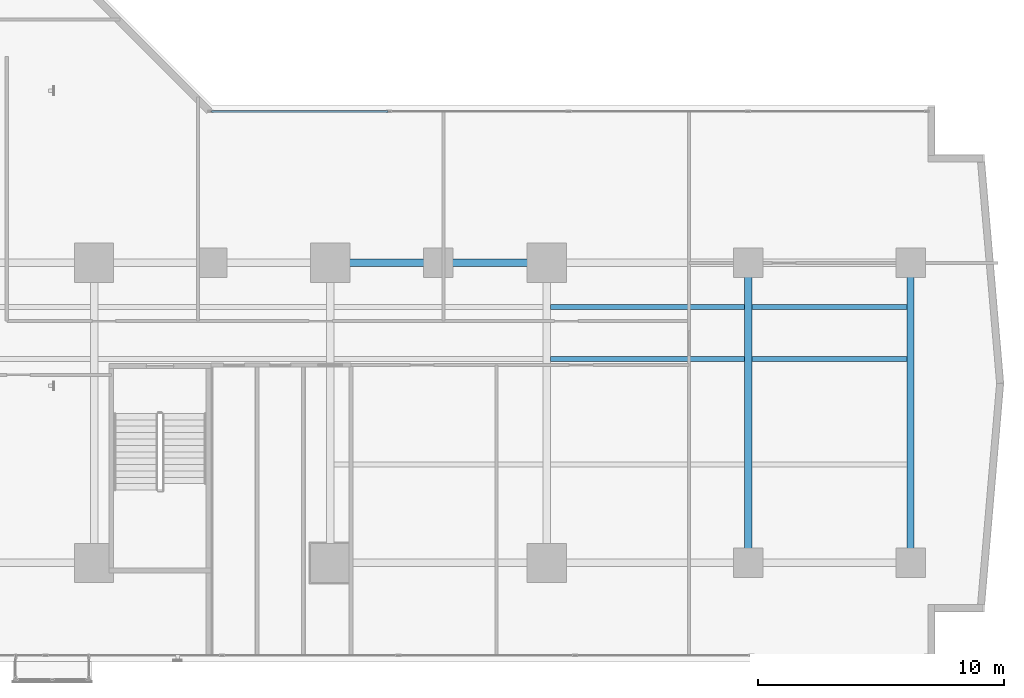
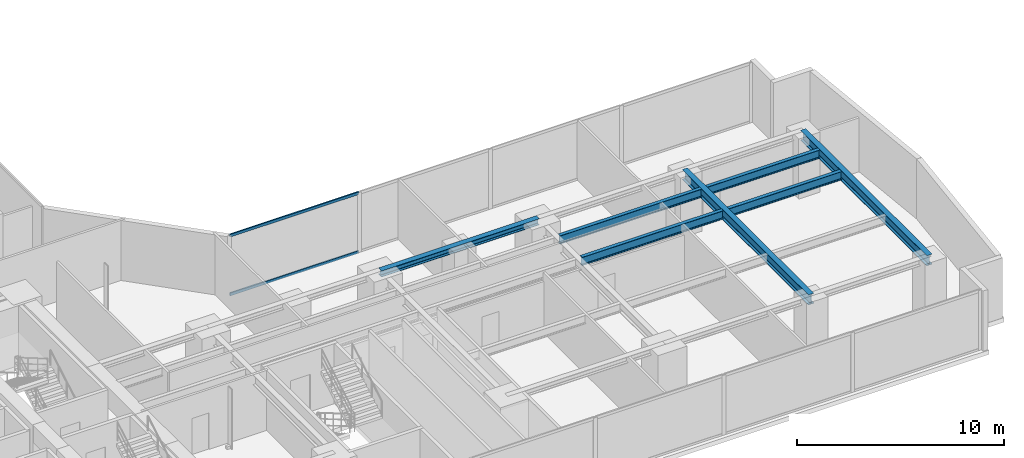
# One storey, part 12 of 28: 7 beams, 2 members, 1 element without a shape of its own.
"""IFC4 building model written with IfcOpenShell, lengths in metres."""

import ifcopenshell
import ifcopenshell.guid

model = None  # the IFC model being written
_history = None  # IfcOwnerHistory: only IFC2X3 demands one
_inside = {}  # id of a spatial element -> (the spatial element, [elements in it])
_under = {}  # id of a project, library or spatial element -> (it, [spatial elements below it])
_declared = {}  # id of a project -> (the project, [libraries it declares])
_typed = {}  # id of a type object -> (the type object, [elements of that type])
_made_of = {}  # id of a material, layer set ... -> (it, [elements and type objects made of it])


def new_model(schema):
    """Start an empty IFC model of exactly this schema.

    Asked for "IFC4X3", IfcOpenShell would pick the latest addendum, in which some entities
    have other attributes; the version numbers below select the first issue.
    IFC2X3 requires an IfcOwnerHistory on every rooted entity: one is made here for all.
    """
    global model, _history
    if schema == "IFC4X3":
        model = ifcopenshell.file(schema_version=(4, 3, 0, 0))
    else:
        model = ifcopenshell.file(schema=schema)
    _inside.clear()
    _under.clear()
    _declared.clear()
    _typed.clear()
    _made_of.clear()
    _history = None
    if model.schema == "IFC2X3":
        org = make("IfcOrganization", Name="unknown")
        user = make(
            "IfcPersonAndOrganization",
            ThePerson=make("IfcPerson", FamilyName="unknown"),
            TheOrganization=org,
        )
        app = make(
            "IfcApplication",
            ApplicationDeveloper=org,
            Version="unknown",
            ApplicationFullName="unknown",
            ApplicationIdentifier="unknown",
        )
        _history = make(
            "IfcOwnerHistory",
            OwningUser=user,
            OwningApplication=app,
            ChangeAction="ADDED",
            CreationDate=0,
        )
    return model


def make(cls, **values):
    """One entity of the class cls with the attributes given. An attribute that is None is left unset."""
    return model.create_entity(
        cls, **{name: value for name, value in values.items() if value is not None}
    )


def rooted(cls, **values):
    """An entity with a GlobalId (a new one), such as an element, a storey or a relation."""
    return make(cls, GlobalId=ifcopenshell.guid.new(), OwnerHistory=_history, **values)


def si_unit(unit_type, name, prefix=None):
    """IfcSIUnit, for example si_unit("LENGTHUNIT", "METRE", prefix="MILLI")."""
    return make("IfcSIUnit", UnitType=unit_type, Prefix=prefix, Name=name)


def assignment(units):
    """IfcUnitAssignment: the units of a project."""
    return None if units is None else make("IfcUnitAssignment", Units=units)


def point(xyz):
    """IfcCartesianPoint."""
    return None if xyz is None else make("IfcCartesianPoint", Coordinates=xyz)


def direction(xyz):
    """IfcDirection."""
    return None if xyz is None else make("IfcDirection", DirectionRatios=xyz)


def frame(location, z_axis=None, x_axis=None):
    """IfcAxis2Placement3D, a coordinate frame: its origin and axes. An axis left out is left unset."""
    return make(
        "IfcAxis2Placement3D",
        Location=point(location),
        Axis=direction(z_axis),
        RefDirection=direction(x_axis),
    )


def frame_2d(location, x_axis=None):
    """IfcAxis2Placement2D, a coordinate frame in the plane: its origin and x axis."""
    return make(
        "IfcAxis2Placement2D", Location=point(location), RefDirection=direction(x_axis)
    )


def origin():
    """The frame at (0, 0, 0) with its axes left unset."""
    return frame((0.0, 0.0, 0.0))


def origin_with_axes():
    """The frame at (0, 0, 0) with the z axis (0, 0, 1) and the x axis (1, 0, 0) written out."""
    return frame((0.0, 0.0, 0.0), z_axis=(0.0, 0.0, 1.0), x_axis=(1.0, 0.0, 0.0))


def origin_2d():
    """The frame at (0, 0) in the plane with its x axis left unset."""
    return frame_2d((0.0, 0.0))


def place(relative_to, where):
    """IfcLocalPlacement: puts the frame where relative to a parent placement (None: the world)."""
    return make(
        "IfcLocalPlacement", PlacementRelTo=relative_to, RelativePlacement=where
    )


def context(
    kind, dimensions, precision=None, world=None, true_north=None, identifier=None
):
    """IfcGeometricRepresentationContext, for example the 3D "Model" context."""
    return make(
        "IfcGeometricRepresentationContext",
        ContextIdentifier=identifier,
        ContextType=kind,
        CoordinateSpaceDimension=dimensions,
        Precision=precision,
        WorldCoordinateSystem=world,
        TrueNorth=true_north,
    )


def subcontext(parent, identifier, kind, view, scale=None):
    """IfcGeometricRepresentationSubContext, for example "Body" below "Model"."""
    return make(
        "IfcGeometricRepresentationSubContext",
        ContextIdentifier=identifier,
        ContextType=kind,
        ParentContext=parent,
        TargetScale=scale,
        TargetView=view,
    )


def project(units=None, contexts=None):
    """IfcProject with its units and contexts."""
    return rooted(
        "IfcProject",
        Name="project",
        RepresentationContexts=contexts,
        UnitsInContext=assignment(units),
    )


def spatial(cls, under=None, at=None, **own):
    """A site, building, storey or space (cls), placed at a placement, below another one or the project."""
    s = rooted(cls, ObjectPlacement=at, **own)
    if under is not None:
        _under.setdefault(under.id(), (under, []))[1].append(s)
    return s


def profile(cls, at=None, kind="AREA", **sizes):
    """A parametric profile (cls). Its sizes go by their IFC names, for example OverallWidth=200.0."""
    return make(cls, ProfileType=kind, Position=at, **sizes)


def hollow_rectangle(**sizes):
    """IfcRectangleHollowProfileDef."""
    return profile("IfcRectangleHollowProfileDef", **sizes)


def i_section(**sizes):
    """IfcIShapeProfileDef."""
    return profile("IfcIShapeProfileDef", **sizes)


def extrude(swept, where, along, depth):
    """IfcExtrudedAreaSolid: the profile swept, set in the frame where, extruded along a direction by depth."""
    return make(
        "IfcExtrudedAreaSolid",
        SweptArea=swept,
        Position=where,
        ExtrudedDirection=direction(along),
        Depth=depth,
    )


def shape(context_of_items, identifier, shape_type, items):
    """IfcShapeRepresentation: the items that make up one representation, for example the "Body"."""
    return make(
        "IfcShapeRepresentation",
        ContextOfItems=context_of_items,
        RepresentationIdentifier=identifier,
        RepresentationType=shape_type,
        Items=items,
    )


def source(mapping_origin, context_of_items, identifier, shape_type, items):
    """IfcRepresentationMap: a shape defined once, which mapped items show again and again."""
    return make(
        "IfcRepresentationMap",
        MappingOrigin=mapping_origin,
        MappedRepresentation=shape(context_of_items, identifier, shape_type, items),
    )


def transform(
    local_origin,
    x_axis=None,
    y_axis=None,
    z_axis=None,
    scale=None,
    scale2=None,
    scale3=None,
    uniform=True,
):
    """IfcCartesianTransformationOperator3D, or its non-uniform kind. x_axis, y_axis, z_axis: its Axis1, 2, 3."""
    if uniform:
        return make(
            "IfcCartesianTransformationOperator3D",
            Axis1=direction(x_axis),
            Axis2=direction(y_axis),
            LocalOrigin=point(local_origin),
            Scale=scale,
            Axis3=direction(z_axis),
        )
    return make(
        "IfcCartesianTransformationOperator3DnonUniform",
        Axis1=direction(x_axis),
        Axis2=direction(y_axis),
        LocalOrigin=point(local_origin),
        Scale=scale,
        Axis3=direction(z_axis),
        Scale2=scale2,
        Scale3=scale3,
    )


def mapped(mapping_source, mapping_target):
    """IfcMappedItem: shows the shape of a source again, moved by a transform."""
    return make(
        "IfcMappedItem", MappingSource=mapping_source, MappingTarget=mapping_target
    )


def material(Name=None, Category=None):
    """IfcMaterial."""
    return make("IfcMaterial", Name=Name, Category=Category)


def layer(
    of_material, thickness, ventilated=None, Name=None, Category=None, Priority=None
):
    """IfcMaterialLayer: one layer of a wall or slab, of a material (None: an air gap)."""
    return make(
        "IfcMaterialLayer",
        Material=of_material,
        LayerThickness=thickness,
        IsVentilated=ventilated,
        Name=Name,
        Category=Category,
        Priority=Priority,
    )


def layer_set(layers, Name=None):
    """IfcMaterialLayerSet."""
    return make("IfcMaterialLayerSet", MaterialLayers=layers, LayerSetName=Name)


def material_profile(
    of_material, cross_section, Name=None, Category=None, Priority=None
):
    """IfcMaterialProfile: a cross section and its material."""
    return make(
        "IfcMaterialProfile",
        Name=Name,
        Material=of_material,
        Profile=cross_section,
        Priority=Priority,
        Category=Category,
    )


def profile_set(profiles, Name=None, composite=None):
    """IfcMaterialProfileSet."""
    return make(
        "IfcMaterialProfileSet",
        Name=Name,
        MaterialProfiles=profiles,
        CompositeProfile=composite,
    )


def made_of(thing, what):
    """Note that an element or type object is made of a material, layer set ...; save() writes the relation."""
    if what is not None:
        _made_of.setdefault(what.id(), (what, []))[1].append(thing)
    return thing


def type_object(cls, material=None, **own):
    """A type object (cls), such as IfcWallType, which elements share."""
    return made_of(rooted(cls, **own), material)


def element(
    cls,
    number,
    at=None,
    inside=None,
    cuts=None,
    type_object=None,
    material=None,
    context=None,
    identifier="Body",
    shape_type=None,
    held_by="IfcProductDefinitionShape",
    body=None,
    shapes=None,
    **own,
):
    """One element of the class cls, such as IfcWall. Its Tag is "e" and its number.

    at: its placement. inside: the storey or other place that contains it. cuts: it is an
    opening in that element (IfcRelVoidsElement). A single representation is given by context,
    identifier, shape_type and body (its items); several are given by shapes. held_by: the class
    of the entity that holds the representations. save() writes the other relations.
    """
    e = rooted(cls, Tag="e%d" % number, ObjectPlacement=at, **own)
    if body is not None:
        shapes = [shape(context, identifier, shape_type, body)]
    if shapes is not None:
        e.Representation = make(held_by, Representations=shapes)
    if inside is not None:
        _inside.setdefault(inside.id(), (inside, []))[1].append(e)
    if cuts is not None:
        rooted(
            "IfcRelVoidsElement", RelatingBuildingElement=cuts, RelatedOpeningElement=e
        )
    if type_object is not None:
        _typed.setdefault(type_object.id(), (type_object, []))[1].append(e)
    return made_of(e, material)


def aggregate(whole, parts):
    """IfcRelAggregates: a whole, such as a stair, and the parts it consists of."""
    return rooted("IfcRelAggregates", RelatingObject=whole, RelatedObjects=parts)


def save(model, path):
    """Write the relations noted so far, then the file.

    IfcRelAggregates (storeys below a building ...), IfcRelContainedInSpatialStructure (elements
    in a storey), IfcRelDefinesByType, IfcRelAssociatesMaterial and IfcRelDeclares: one each for
    every whole, place, type object, material and project.
    """
    for whole, parts in _under.values():
        aggregate(whole, parts)
    for where, things in _inside.values():
        rooted(
            "IfcRelContainedInSpatialStructure",
            RelatedElements=things,
            RelatingStructure=where,
        )
    for kind, things in _typed.values():
        rooted("IfcRelDefinesByType", RelatedObjects=things, RelatingType=kind)
    for what, things in _made_of.values():
        rooted("IfcRelAssociatesMaterial", RelatedObjects=things, RelatingMaterial=what)
    for by, libraries in _declared.values():
        rooted("IfcRelDeclares", RelatingContext=by, RelatedDefinitions=libraries)
    model.write(path)


model = new_model("IFC4")

# Units and contexts
model_context = context("Model", 3, precision=1e-05, world=origin(), true_north=direction((0.0, 1.0)))
body_context = subcontext(model_context, "Body", "Model", "MODEL_VIEW")
ifc_project = project(units=[si_unit("LENGTHUNIT", "METRE"), si_unit("AREAUNIT", "SQUARE_METRE"), si_unit("VOLUMEUNIT", "CUBIC_METRE"), si_unit("PLANEANGLEUNIT", "RADIAN"), si_unit("MASSUNIT", "GRAM", prefix="KILO")], contexts=[model_context])

# Site, building, storey
site_placement = place(None, origin())
site = spatial("IfcSite", under=ifc_project, at=site_placement, CompositionType="ELEMENT")
building_placement = place(site_placement, origin())
building = spatial("IfcBuilding", under=site, at=building_placement, Name="Kolvaren Waterfront Exchange", CompositionType="ELEMENT")
storey_placement = place(building_placement, frame((0.0, 0.0, 75.199951171875)))
storey = spatial("IfcBuildingStorey", under=building, at=storey_placement, Name="L19", CompositionType="ELEMENT", Elevation=75.199951171875)

# Beams
ifc_material_1 = material(Name="Steel S355", Category="steel")
ifc_material_profile_1 = material_profile(ifc_material_1, i_section(OverallWidth=0.300048828125, OverallDepth=0.360107421875, WebThickness=0.012451171875, FlangeThickness=0.0224609375, FilletRadius=0.027099609375, at=origin_2d()), Name="HEB360")
ifc_profile_set_1 = profile_set([ifc_material_profile_1], Name="Steel S355")
beam_type_1 = type_object("IfcBeamType", Name="STR-BM-HEB360", PredefinedType="SPANDREL", material=ifc_profile_set_1)
beam_placement = place(storey_placement, frame((36.800048828125, 17.39990234375, 3.360107421875), z_axis=(1.0, 0.0, 0.0), x_axis=(0.0, 1.0, 0.0)))
element("IfcBeam", 1, at=beam_placement, inside=storey, type_object=beam_type_1, Name="L19 east-arm spandrel N3", PredefinedType="SPANDREL", context=body_context, shape_type="SweptSolid", body=[
    extrude(i_section(OverallWidth=0.300048828125, OverallDepth=0.360107421875, WebThickness=0.012451171875, FlangeThickness=0.0224609375, FilletRadius=0.027099609375, at=origin_2d()), origin(), (0.0, 0.0, 1.0), 8.800048828125),
])
ifc_material_profile_2 = material_profile(ifc_material_1, i_section(OverallWidth=0.300048828125, OverallDepth=0.60009765625, WebThickness=0.015380859375, FlangeThickness=0.030029296875, FilletRadius=0.027099609375, at=origin_2d()), Name="HEB600")
ifc_profile_set_2 = profile_set([ifc_material_profile_2], Name="Steel S355")
beam_type_2 = type_object("IfcBeamType", Name="STR-BM-HEB600", PredefinedType="BEAM", material=ifc_profile_set_2)
for number, where, z_axis, x_axis, name in (
    (2, (53.800048828125, 5.199951171875, 3.239990234375), (0.0, 1.0, 0.0), (-1.0, 0.0, 0.0), "L19 east-arm transverse girder X53"),
    (3, (60.39990234375, 5.199951171875, 3.239990234375), (0.0, 1.0, 0.0), (-1.0, 0.0, 0.0), "L19 east-arm transverse girder X60"),
):
    element("IfcBeam", number, at=place(storey_placement, frame(where, z_axis=z_axis, x_axis=x_axis)), inside=storey, type_object=beam_type_2, Name=name, PredefinedType="BEAM", context=body_context, shape_type="SweptSolid", body=[
        extrude(i_section(OverallWidth=0.300048828125, OverallDepth=0.60009765625, WebThickness=0.015380859375, FlangeThickness=0.030029296875, FilletRadius=0.027099609375, at=origin_2d()), origin(), (0.0, 0.0, 1.0), 12.199951171875),
    ])
ifc_material_profile_3 = material_profile(ifc_material_1, i_section(OverallWidth=0.199951171875, OverallDepth=0.5, WebThickness=0.01025390625, FlangeThickness=0.01611328125, FilletRadius=0.02099609375, at=origin_2d()), Name="IPE500")
ifc_profile_set_3 = profile_set([ifc_material_profile_3], Name="Steel S355")
beam_type_3 = type_object("IfcBeamType", Name="STR-BM-IPE500", PredefinedType="JOIST", material=ifc_profile_set_3)
for number, where, z_axis, x_axis, name in (
    (4, (45.751953125, 13.5, 3.2900390625), (1.0, 0.0, 0.0), (0.0, 1.0, 0.0), "L19 east-arm composite joist 4A"),
    (5, (45.751953125, 15.60009765625, 3.2900390625), (1.0, 0.0, 0.0), (0.0, 1.0, 0.0), "L19 east-arm composite joist 4C"),
):
    element("IfcBeam", number, at=place(storey_placement, frame(where, z_axis=z_axis, x_axis=x_axis)), inside=storey, type_object=beam_type_3, Name=name, PredefinedType="JOIST", context=body_context, shape_type="SweptSolid", body=[
        extrude(i_section(OverallWidth=0.199951171875, OverallDepth=0.5, WebThickness=0.01025390625, FlangeThickness=0.01611328125, FilletRadius=0.02099609375, at=origin_2d()), origin(), (0.0, 0.0, 1.0), 7.89599609375),
    ])
for number, where, z_axis, x_axis, name in (
    (6, (53.951904296875, 13.5, 3.2900390625), (1.0, 0.0, 0.0), (0.0, 1.0, 0.0), "L19 east-arm composite joist 5A"),
    (7, (53.951904296875, 15.60009765625, 3.2900390625), (1.0, 0.0, 0.0), (0.0, 1.0, 0.0), "L19 east-arm composite joist 5C"),
):
    element("IfcBeam", number, at=place(storey_placement, frame(where, z_axis=z_axis, x_axis=x_axis)), inside=storey, type_object=beam_type_3, Name=name, PredefinedType="JOIST", context=body_context, shape_type="SweptSolid", body=[
        extrude(i_section(OverallWidth=0.199951171875, OverallDepth=0.5, WebThickness=0.01025390625, FlangeThickness=0.01611328125, FilletRadius=0.02099609375, at=origin_2d()), origin(), (0.0, 0.0, 1.0), 6.296142578125),
    ])

# Curtain wall, members
ifc_material_2 = material(Name="Anodised bronze aluminium 6063-T6", Category="aluminium")
ifc_layer = layer(ifc_material_2, 0.219970703125, Name="Anodised bronze aluminium 6063-T6")
ifc_layer_set = layer_set([ifc_layer], Name="Anodised bronze aluminium 6063-T6")
curtain_wall_type = type_object("IfcCurtainWallType", Name="ARC-CW-SYS1", PredefinedType="USERDEFINED", material=ifc_layer_set)
curtain_wall_placement = place(storey_placement, origin())
curtain_wall = element("IfcCurtainWall", 8, at=curtain_wall_placement, inside=storey, type_object=curtain_wall_type, Name="L19 stick curtain wall CW1 (CW-L19-EN)", ObjectType="STICK CURTAIN WALL", PredefinedType="USERDEFINED")
ifc_material_3 = material(Name="Anodised aluminium 6063-T6", Category="aluminium")
ifc_material_profile_4 = material_profile(ifc_material_3, hollow_rectangle(XDim=0.074951171875, YDim=0.159912109375, WallThickness=0.00439453125, at=origin_2d()), Name="ALU-TRN-160x75x4.5")
ifc_profile_set_4 = profile_set([ifc_material_profile_4], Name="Anodised aluminium 6063-T6")
member_type = type_object("IfcMemberType", Name="ARC-CWT-160", PredefinedType="USERDEFINED", material=ifc_profile_set_4)
shared_shape = source(origin_with_axes(), body_context, "Body", "SweptSolid", [
    extrude(hollow_rectangle(XDim=0.074951171875, YDim=0.159912109375, WallThickness=0.00439453125, at=origin_2d()), origin(), (0.0, 0.0, 1.0), 7.1826171875),
])
member_1_placement = place(storey_placement, frame((31.969970703125, 23.56005859375, 0.03759765625), z_axis=(1.0, 0.0, 0.0), x_axis=(0.0, 1.0, 0.0)))
member_1 = element("IfcMember", 9, at=member_1_placement, type_object=member_type, Name="CW1 transom 1.1", ObjectType="TRANSOM", PredefinedType="USERDEFINED", context=body_context, shape_type="MappedRepresentation", body=[
    mapped(shared_shape, transform((0.0, 0.0, 0.0), x_axis=(1.0, 0.0, 0.0), y_axis=(0.0, 1.0, 0.0), z_axis=(0.0, 0.0, 1.0), scale=1.0)),
])
member_2_placement = place(storey_placement, frame((31.969970703125, 23.56005859375, 3.50244140625), z_axis=(1.0, 0.0, 0.0), x_axis=(0.0, 1.0, 0.0)))
member_2 = element("IfcMember", 10, at=member_2_placement, type_object=member_type, Name="CW1 transom 1.2", ObjectType="TRANSOM", PredefinedType="USERDEFINED", context=body_context, shape_type="MappedRepresentation", body=[
    mapped(shared_shape, transform((0.0, 0.0, 0.0), x_axis=(1.0, 0.0, 0.0), y_axis=(0.0, 1.0, 0.0), z_axis=(0.0, 0.0, 1.0), scale=1.0)),
])
aggregate(curtain_wall, [member_1, member_2])

save(model, "model.ifc")
